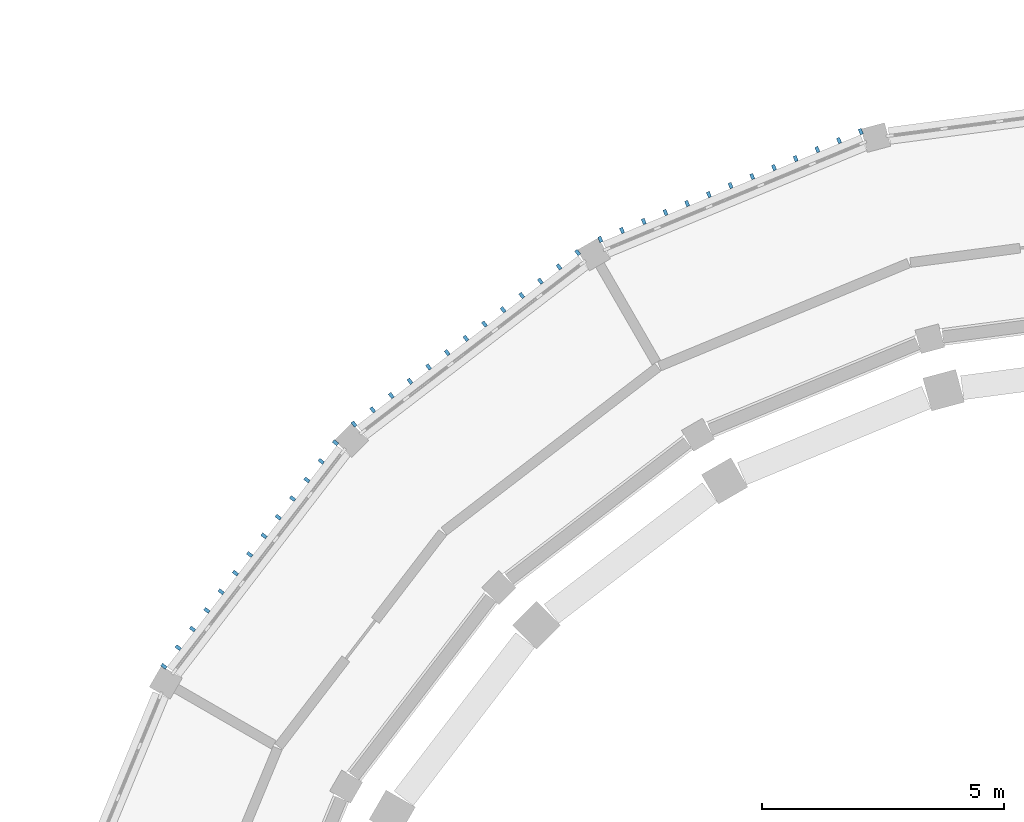
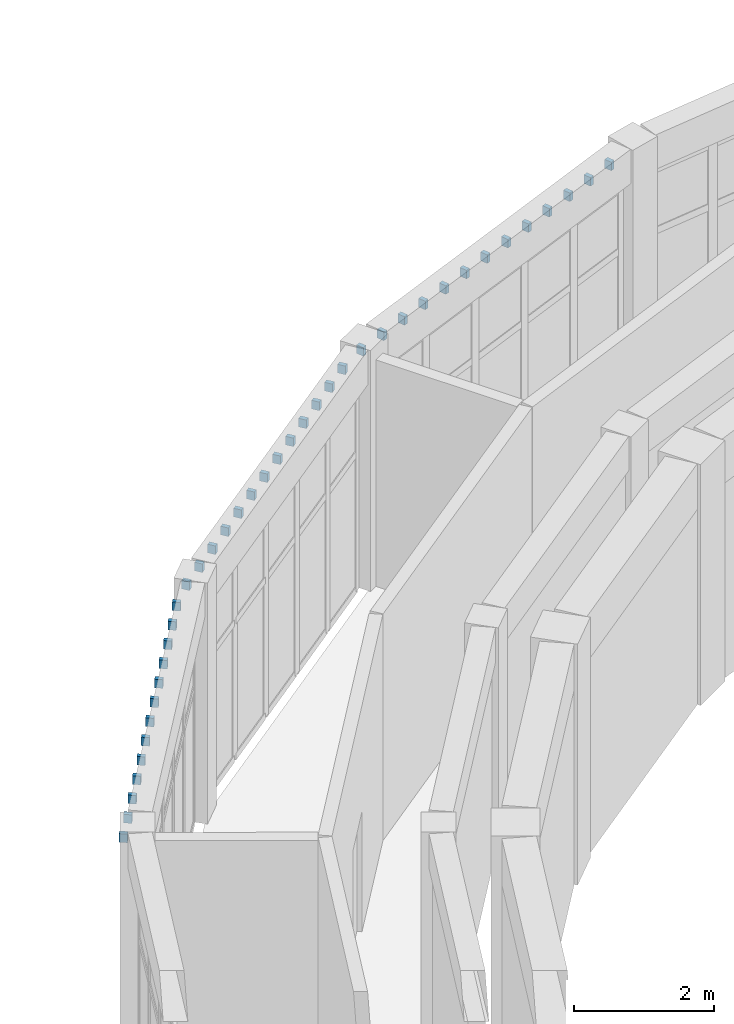
# One storey, part 77 of 99: 39 discrete accessories.
"""IFC4 building model written with IfcOpenShell, lengths in metres."""

from ifc_helpers import new_model, si_unit, direction, frame, origin, origin_2d, place, context, subcontext, project, spatial, rectangle, extrude, material, type_object, element, save


model = new_model("IFC4")

# Units and contexts
model_context = context("Model", 3, precision=1e-05, world=origin(), true_north=direction((0.0, 1.0)))
body_context = subcontext(model_context, "Body", "Model", "MODEL_VIEW")
ifc_project = project(units=[si_unit("LENGTHUNIT", "METRE"), si_unit("AREAUNIT", "SQUARE_METRE"), si_unit("VOLUMEUNIT", "CUBIC_METRE"), si_unit("PLANEANGLEUNIT", "RADIAN"), si_unit("MASSUNIT", "GRAM", prefix="KILO")], contexts=[model_context])

# Site, building, storey
site_placement = place(None, origin())
site = spatial("IfcSite", under=ifc_project, at=site_placement, CompositionType="ELEMENT")
building_placement = place(site_placement, origin())
building = spatial("IfcBuilding", under=site, at=building_placement, Name="Wasatch Bagh Community Centre", CompositionType="ELEMENT")
storey_placement = place(building_placement, frame((0.0, 0.0, 4.199951171875)))
storey = spatial("IfcBuildingStorey", under=building, at=storey_placement, Name="L01", CompositionType="ELEMENT", Elevation=4.199951171875)

# Discrete accessories
ifc_material = material(Name="ASTM A36 steel", Category="steel")
discrete_accessory_type = type_object("IfcDiscreteAccessoryType", Name="Drum fin bracket", PredefinedType="BRACKET", material=ifc_material)
for number, where, z_axis, x_axis, name in (
    (1, (29.435546875, 88.451416015625, 3.675048828125), (0.0, 0.0, 1.0), (-0.923879532511, -0.382683432365, 0.0), "Fin bracket 26.1.2"),
    (2, (28.987548828125, 88.265869140625, 3.675048828125), (0.0, 0.0, 1.0), (-0.923879532511, -0.382683432365, 0.0), "Fin bracket 26.2.2"),
    (3, (28.53955078125, 88.080322265625, 3.675048828125), (0.0, 0.0, 1.0), (-0.923879532511, -0.382683432365, 0.0), "Fin bracket 26.3.2"),
    (4, (28.091552734375, 87.894775390625, 3.675048828125), (0.0, 0.0, 1.0), (-0.923879532511, -0.382683432365, 0.0), "Fin bracket 26.4.2"),
    (5, (27.643310546875, 87.708984375, 3.675048828125), (0.0, 0.0, 1.0), (-0.923879532511, -0.382683432365, 0.0), "Fin bracket 26.5.2"),
    (6, (27.1953125, 87.5234375, 3.675048828125), (0.0, 0.0, 1.0), (-0.923879532511, -0.382683432365, 0.0), "Fin bracket 26.6.2"),
    (7, (26.747314453125, 87.337890625, 3.675048828125), (0.0, 0.0, 1.0), (-0.923879532511, -0.382683432365, 0.0), "Fin bracket 26.7.2"),
    (8, (26.29931640625, 87.15234375, 3.675048828125), (0.0, 0.0, 1.0), (-0.923879532511, -0.382683432365, 0.0), "Fin bracket 26.8.2"),
    (9, (25.851318359375, 86.966796875, 3.675048828125), (0.0, 0.0, 1.0), (-0.923879532511, -0.382683432365, 0.0), "Fin bracket 26.9.2"),
    (10, (25.4033203125, 86.78125, 3.675048828125), (0.0, 0.0, 1.0), (-0.923879532511, -0.382683432365, 0.0), "Fin bracket 26.10.2"),
    (11, (24.955078125, 86.595703125, 3.675048828125), (0.0, 0.0, 1.0), (-0.923879532511, -0.382683432365, 0.0), "Fin bracket 26.11.2"),
    (12, (24.507080078125, 86.409912109375, 3.675048828125), (0.0, 0.0, 1.0), (-0.923879532511, -0.382683432365, 0.0), "Fin bracket 26.12.2"),
    (13, (24.05908203125, 86.224365234375, 3.675048828125), (0.0, 0.0, 1.0), (-0.923879532511, -0.382683432365, 0.0), "Fin bracket 26.13.2"),
    (14, (23.589599609375, 85.953369140625, 3.675048828125), (0.0, 0.0, 1.0), (-0.793353340291, -0.608761429009, 0.0), "Fin bracket 27.1.2"),
    (15, (23.204833984375, 85.658203125, 3.675048828125), (0.0, 0.0, 1.0), (-0.793353340291, -0.608761429009, 0.0), "Fin bracket 27.2.2"),
    (16, (22.820068359375, 85.36279296875, 3.675048828125), (0.0, 0.0, 1.0), (-0.793353340291, -0.608761429009, 0.0), "Fin bracket 27.3.2"),
    (17, (22.435302734375, 85.067626953125, 3.675048828125), (0.0, 0.0, 1.0), (-0.793353340291, -0.608761429009, 0.0), "Fin bracket 27.4.2"),
    (18, (22.050537109375, 84.7724609375, 3.675048828125), (0.0, 0.0, 1.0), (-0.793353340291, -0.608761429009, 0.0), "Fin bracket 27.5.2"),
    (19, (21.665771484375, 84.477294921875, 3.675048828125), (0.0, 0.0, 1.0), (-0.793353340291, -0.608761429009, 0.0), "Fin bracket 27.6.2"),
    (20, (21.281005859375, 84.18212890625, 3.675048828125), (0.0, 0.0, 1.0), (-0.793353340291, -0.608761429009, 0.0), "Fin bracket 27.7.2"),
    (21, (20.896484375, 83.88671875, 3.675048828125), (0.0, 0.0, 1.0), (-0.793353340291, -0.608761429009, 0.0), "Fin bracket 27.8.2"),
    (22, (20.51171875, 83.591552734375, 3.675048828125), (0.0, 0.0, 1.0), (-0.793353340291, -0.608761429009, 0.0), "Fin bracket 27.9.2"),
    (23, (20.126953125, 83.29638671875, 3.675048828125), (0.0, 0.0, 1.0), (-0.793353340291, -0.608761429009, 0.0), "Fin bracket 27.10.2"),
    (24, (19.7421875, 83.001220703125, 3.675048828125), (0.0, 0.0, 1.0), (-0.793353340291, -0.608761429009, 0.0), "Fin bracket 27.11.2"),
    (25, (19.357421875, 82.705810546875, 3.675048828125), (0.0, 0.0, 1.0), (-0.793353340291, -0.608761429009, 0.0), "Fin bracket 27.12.2"),
    (26, (18.97265625, 82.41064453125, 3.675048828125), (0.0, 0.0, 1.0), (-0.793353340291, -0.608761429009, 0.0), "Fin bracket 27.13.2"),
    (27, (18.58935546875, 82.02734375, 3.675048828125), (0.0, 0.0, 1.0), (-0.608761429009, -0.793353340291, 0.0), "Fin bracket 28.1.2"),
    (28, (18.294189453125, 81.642578125, 3.675048828125), (0.0, 0.0, 1.0), (-0.608761429009, -0.793353340291, 0.0), "Fin bracket 28.2.2"),
    (29, (17.998779296875, 81.2578125, 3.675048828125), (0.0, 0.0, 1.0), (-0.608761429009, -0.793353340291, 0.0), "Fin bracket 28.3.2"),
    (30, (17.70361328125, 80.873046875, 3.675048828125), (0.0, 0.0, 1.0), (-0.608761429009, -0.793353340291, 0.0), "Fin bracket 28.4.2"),
    (31, (17.408447265625, 80.48828125, 3.675048828125), (0.0, 0.0, 1.0), (-0.608761429009, -0.793353340291, 0.0), "Fin bracket 28.5.2"),
    (32, (17.11328125, 80.103515625, 3.675048828125), (0.0, 0.0, 1.0), (-0.608761429009, -0.793353340291, 0.0), "Fin bracket 28.6.2"),
    (33, (16.81787109375, 79.718994140625, 3.675048828125), (0.0, 0.0, 1.0), (-0.608761429009, -0.793353340291, 0.0), "Fin bracket 28.7.2"),
    (34, (16.522705078125, 79.334228515625, 3.675048828125), (0.0, 0.0, 1.0), (-0.608761429009, -0.793353340291, 0.0), "Fin bracket 28.8.2"),
    (35, (16.2275390625, 78.949462890625, 3.675048828125), (0.0, 0.0, 1.0), (-0.608761429009, -0.793353340291, 0.0), "Fin bracket 28.9.2"),
    (36, (15.932373046875, 78.564697265625, 3.675048828125), (0.0, 0.0, 1.0), (-0.608761429009, -0.793353340291, 0.0), "Fin bracket 28.10.2"),
    (37, (15.63720703125, 78.179931640625, 3.675048828125), (0.0, 0.0, 1.0), (-0.608761429009, -0.793353340291, 0.0), "Fin bracket 28.11.2"),
    (38, (15.341796875, 77.795166015625, 3.675048828125), (0.0, 0.0, 1.0), (-0.608761429009, -0.793353340291, 0.0), "Fin bracket 28.12.2"),
    (39, (15.046630859375, 77.410400390625, 3.675048828125), (0.0, 0.0, 1.0), (-0.608761429009, -0.793353340291, 0.0), "Fin bracket 28.13.2"),
):
    element("IfcDiscreteAccessory", number, at=place(storey_placement, frame(where, z_axis=z_axis, x_axis=x_axis)), inside=storey, type_object=discrete_accessory_type, Name=name, PredefinedType="BRACKET", context=body_context, shape_type="SweptSolid", body=[
        extrude(rectangle(XDim=0.070068359375, YDim=0.1201171875, at=origin_2d()), origin(), (0.0, 0.0, 1.0), 0.14990234375),
    ])

save(model, "model.ifc")
